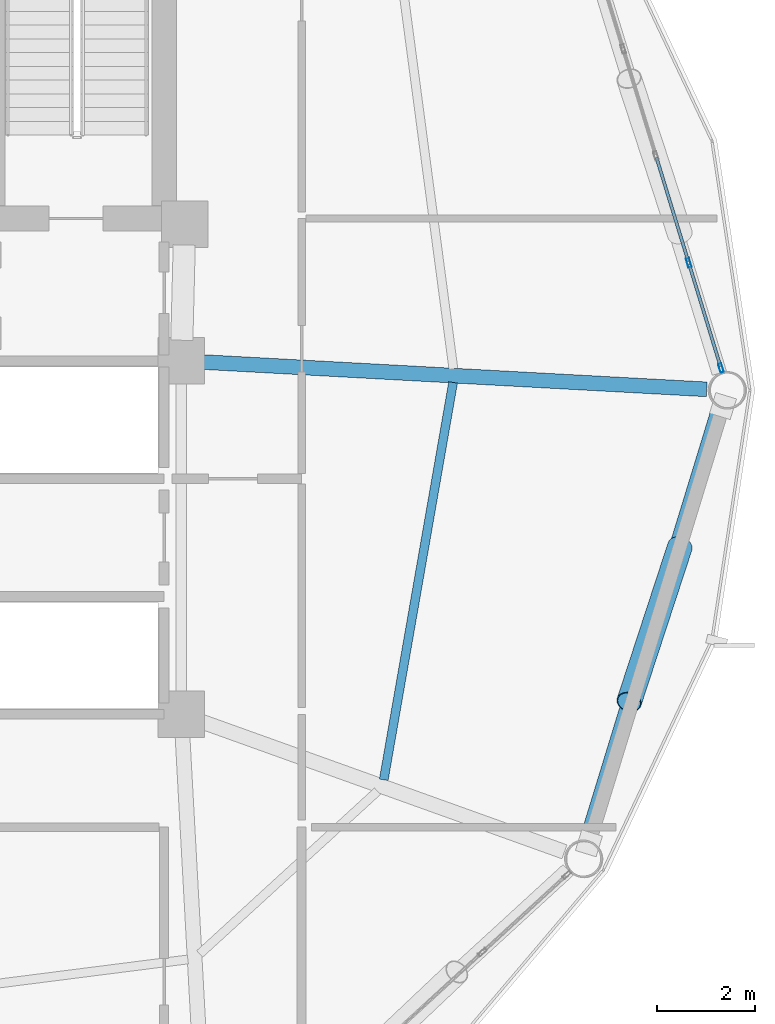
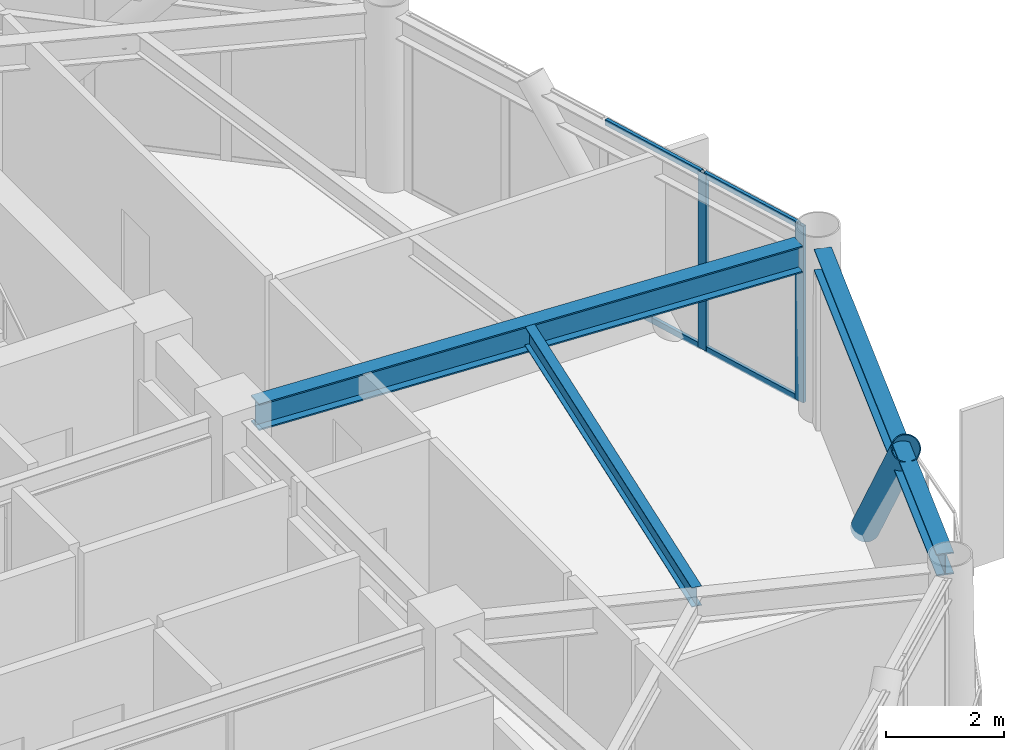
# One storey, part 14 of 26: 7 members, 3 beams, 1 element without a shape of its own.
"""IFC4 building model written with IfcOpenShell, lengths in metres."""

from ifc_helpers import new_model, si_unit, direction, frame, origin, origin_2d, place, context, subcontext, project, spatial, hollow_rectangle, hollow_circle, i_section, extrude, material, layer, layer_set, material_profile, profile_set, type_object, element, aggregate, save


model = new_model("IFC4")

# Units and contexts
model_context = context("Model", 3, precision=1e-05, world=origin(), true_north=direction((0.0, 1.0)))
body_context = subcontext(model_context, "Body", "Model", "MODEL_VIEW")
ifc_project = project(units=[si_unit("LENGTHUNIT", "METRE"), si_unit("AREAUNIT", "SQUARE_METRE"), si_unit("VOLUMEUNIT", "CUBIC_METRE"), si_unit("PLANEANGLEUNIT", "RADIAN"), si_unit("MASSUNIT", "GRAM", prefix="KILO")], contexts=[model_context])

# Site, building, storey
site_placement = place(None, origin())
site = spatial("IfcSite", under=ifc_project, at=site_placement, CompositionType="ELEMENT")
building_placement = place(site_placement, origin())
building = spatial("IfcBuilding", under=site, at=building_placement, Name="Varnakorn Sky Granary", CompositionType="ELEMENT")
storey_placement = place(building_placement, frame((0.0, 0.0, 138.300048828125)))
storey = spatial("IfcBuildingStorey", under=building, at=storey_placement, Name="L34", CompositionType="ELEMENT", Elevation=138.300048828125)

# Beams
ifc_material_1 = material(Name="Steel S355JR", Category="steel")
ifc_material_profile_1 = material_profile(ifc_material_1, i_section(OverallWidth=0.300048828125, OverallDepth=0.550048828125, WebThickness=0.014892578125, FlangeThickness=0.029052734375, at=origin_2d()), Name="HE 550 B")
ifc_profile_set_1 = profile_set([ifc_material_profile_1], Name="Steel S355JR")
beam_type_1 = type_object("IfcBeamType", Name="BM-RAD-Z3", PredefinedType="BEAM", material=ifc_profile_set_1)
beam_1_placement = place(storey_placement, frame((8.769287109375, 0.577392578125, 3.364990234375), z_axis=(0.998532725713, -0.054151599049, 0.0), x_axis=(0.054151599049, 0.998532725713, 0.0)))
element("IfcBeam", 1, at=beam_1_placement, inside=storey, type_object=beam_type_1, Name="Radial Floor Girder RG01 L34", PredefinedType="BEAM", context=body_context, shape_type="SweptSolid", body=[
    extrude(i_section(OverallWidth=0.300048828125, OverallDepth=0.550048828125, WebThickness=0.014892578125, FlangeThickness=0.029052734375, at=origin_2d()), origin(), (0.0, 0.0, 1.0), 10.29736328125),
])
ifc_material_profile_2 = material_profile(ifc_material_1, i_section(OverallWidth=0.179931640625, OverallDepth=0.39990234375, WebThickness=0.008544921875, FlangeThickness=0.013427734375, at=origin_2d()), Name="IPE 400")
ifc_profile_set_2 = profile_set([ifc_material_profile_2], Name="Steel S355JR")
beam_type_2 = type_object("IfcBeamType", Name="BM-SEC-Z3", PredefinedType="BEAM", material=ifc_profile_set_2)
beam_2_placement = place(storey_placement, frame((12.473388671875, -7.93310546875, 3.43994140625), z_axis=(0.171988207675, 0.985099008436, 0.0), x_axis=(-0.985099008436, 0.171988207675, 0.0)))
element("IfcBeam", 2, at=beam_2_placement, inside=storey, type_object=beam_type_2, Name="Secondary Floor Chord Beam MSB12 L34", PredefinedType="BEAM", context=body_context, shape_type="SweptSolid", body=[
    extrude(i_section(OverallWidth=0.179931640625, OverallDepth=0.39990234375, WebThickness=0.008544921875, FlangeThickness=0.013427734375, at=origin_2d()), origin(), (0.0, 0.0, 1.0), 8.216064453125),
])
ifc_material_profile_3 = material_profile(ifc_material_1, i_section(OverallWidth=0.300048828125, OverallDepth=0.449951171875, WebThickness=0.013916015625, FlangeThickness=0.02587890625, at=origin_2d()), Name="HE 450 B")
ifc_profile_set_3 = profile_set([ifc_material_profile_3], Name="Steel S355JR")
beam_type_3 = type_object("IfcBeamType", Name="BM-SPD-Z3", PredefinedType="SPANDREL", material=ifc_profile_set_3)
beam_3_placement = place(storey_placement, frame((16.60498046875, -9.174072265625, 3.4150390625), z_axis=(0.293065193807, 0.956092460057, 0.0), x_axis=(-0.956092460057, 0.293065193807, 0.0)))
element("IfcBeam", 3, at=beam_3_placement, inside=storey, type_object=beam_type_3, Name="Perimeter Spandrel Ring Beam RB12 L34", PredefinedType="SPANDREL", context=body_context, shape_type="SweptSolid", body=[
    extrude(i_section(OverallWidth=0.300048828125, OverallDepth=0.449951171875, WebThickness=0.013916015625, FlangeThickness=0.02587890625, at=origin_2d()), origin(), (0.0, 0.0, 1.0), 9.2294921875),
])

# Curtain wall, members
ifc_material_2 = material(Name="Anodised Bronze Aluminium Alloy 6063-T6", Category="aluminium")
ifc_layer = layer(ifc_material_2, 0.179931640625, Name="Anodised Bronze Aluminium Alloy 6063-T6")
ifc_layer_set = layer_set([ifc_layer], Name="Anodised Bronze Aluminium Alloy 6063-T6")
curtain_wall_type = type_object("IfcCurtainWallType", Name="CW-FRM-2", PredefinedType="USERDEFINED", material=ifc_layer_set)
curtain_wall_placement = place(storey_placement, origin())
curtain_wall = element("IfcCurtainWall", 4, at=curtain_wall_placement, inside=storey, type_object=curtain_wall_type, Name="Unitised Curtain Wall CW4 CW-L34-B01", ObjectType="CURTAIN WALL", PredefinedType="USERDEFINED")
ifc_material_profile_4 = material_profile(ifc_material_2, hollow_rectangle(XDim=0.070068359375, YDim=0.18505859375, WallThickness=0.00390625, at=origin_2d()), Name="ALU MULL 70x185")
ifc_profile_set_4 = profile_set([ifc_material_profile_4], Name="Anodised Bronze Aluminium Alloy 6063-T6")
member_type_1 = type_object("IfcMemberType", Name="CW-FRM-2-MULL", PredefinedType="MULLION", material=ifc_profile_set_4)
member_1_placement = place(storey_placement, frame((18.686279296875, 2.597900390625, 0.0), z_axis=(0.0, 0.0, 1.0), x_axis=(0.956053346181, 0.293192768083, 0.0)))
member_1 = element("IfcMember", 5, at=member_1_placement, type_object=member_type_1, Name="CW4 mullion 4", PredefinedType="MULLION", context=body_context, shape_type="SweptSolid", body=[
    extrude(hollow_rectangle(XDim=0.070068359375, YDim=0.18505859375, WallThickness=0.00390625, at=origin_2d()), origin(), (0.0, 0.0, 1.0), 3.639892578125),
])
member_2_placement = place(storey_placement, frame((19.343505859375, 0.455078125, 0.0), z_axis=(0.0, 0.0, 1.0), x_axis=(0.956053346181, 0.293192768083, 0.0)))
member_2 = element("IfcMember", 6, at=member_2_placement, type_object=member_type_1, Name="CW4 mullion 5", PredefinedType="MULLION", context=body_context, shape_type="SweptSolid", body=[
    extrude(hollow_rectangle(XDim=0.070068359375, YDim=0.18505859375, WallThickness=0.00390625, at=origin_2d()), origin(), (0.0, 0.0, 1.0), 3.639892578125),
])
ifc_material_profile_5 = material_profile(ifc_material_2, hollow_rectangle(XDim=0.06494140625, YDim=0.1201171875, WallThickness=0.00341796875, at=origin_2d()), Name="ALU TRAN 65x120")
ifc_profile_set_5 = profile_set([ifc_material_profile_5], Name="Anodised Bronze Aluminium Alloy 6063-T6")
member_type_2 = type_object("IfcMemberType", Name="CW-FRM-2-TRAN", PredefinedType="USERDEFINED", material=ifc_profile_set_5)
member_3_placement = place(storey_placement, frame((18.029296875, 4.740478515625, 0.032470703125), z_axis=(0.293160284847, -0.956063307207, 0.0), x_axis=(0.956063307207, 0.293160284847, 0.0)))
member_3 = element("IfcMember", 7, at=member_3_placement, type_object=member_type_2, Name="CW4 transom 3.1", ObjectType="TRANSOM", PredefinedType="USERDEFINED", context=body_context, shape_type="SweptSolid", body=[
    extrude(hollow_rectangle(XDim=0.06494140625, YDim=0.1201171875, WallThickness=0.00341796875, at=origin_2d()), origin(), (0.0, 0.0, 1.0), 2.2060546875),
])
member_4_placement = place(storey_placement, frame((18.029296875, 4.740478515625, 3.607421875), z_axis=(0.293160284847, -0.956063307207, 0.0), x_axis=(0.956063307207, 0.293160284847, 0.0)))
member_4 = element("IfcMember", 8, at=member_4_placement, type_object=member_type_2, Name="CW4 transom 3.2", ObjectType="TRANSOM", PredefinedType="USERDEFINED", context=body_context, shape_type="SweptSolid", body=[
    extrude(hollow_rectangle(XDim=0.06494140625, YDim=0.1201171875, WallThickness=0.00341796875, at=origin_2d()), origin(), (0.0, 0.0, 1.0), 2.2060546875),
])
member_5_placement = place(storey_placement, frame((18.696533203125, 2.564453125, 0.032470703125), z_axis=(0.29323243546, -0.956041180491, 0.0), x_axis=(0.956041180491, 0.29323243546, 0.0)))
member_5 = element("IfcMember", 9, at=member_5_placement, type_object=member_type_2, Name="CW4 transom 4.1", ObjectType="TRANSOM", PredefinedType="USERDEFINED", context=body_context, shape_type="SweptSolid", body=[
    extrude(hollow_rectangle(XDim=0.06494140625, YDim=0.1201171875, WallThickness=0.00341796875, at=origin_2d()), origin(), (0.0, 0.0, 1.0), 2.17138671875),
])
member_6_placement = place(storey_placement, frame((18.696533203125, 2.564453125, 3.607421875), z_axis=(0.29323243546, -0.956041180491, 0.0), x_axis=(0.956041180491, 0.29323243546, 0.0)))
member_6 = element("IfcMember", 10, at=member_6_placement, type_object=member_type_2, Name="CW4 transom 4.2", ObjectType="TRANSOM", PredefinedType="USERDEFINED", context=body_context, shape_type="SweptSolid", body=[
    extrude(hollow_rectangle(XDim=0.06494140625, YDim=0.1201171875, WallThickness=0.00341796875, at=origin_2d()), origin(), (0.0, 0.0, 1.0), 2.17138671875),
])
aggregate(curtain_wall, [member_1, member_2, member_3, member_4, member_5, member_6])

# Member
ifc_material_3 = material(Name="Steel S460M", Category="steel")
ifc_material_profile_6 = material_profile(ifc_material_3, hollow_circle(Radius=0.25390625, WallThickness=0.01806640625, at=origin_2d()), Name="CHS 508x18")
ifc_profile_set_6 = profile_set([ifc_material_profile_6], Name="Steel S460M")
member_type_3 = type_object("IfcMemberType", Name="MB-DIAG-T2", PredefinedType="BRACE", material=ifc_profile_set_6)
member_7_placement = place(storey_placement, frame((18.507080078125, -3.1826171875, -0.130126953125), z_axis=(-0.20143743631, -0.615511186427, 0.761950745545), x_axis=(0.950398310475, -0.311035450464, 0.0)))
element("IfcMember", 11, at=member_7_placement, inside=storey, type_object=member_type_3, Name="Perimeter CHS Diagrid Brace DG12 L34", PredefinedType="BRACE", context=body_context, shape_type="SweptSolid", body=[
    extrude(hollow_circle(Radius=0.25390625, WallThickness=0.01806640625, at=origin_2d()), origin(), (0.0, 0.0, 1.0), 5.14501953125),
])

save(model, "model.ifc")
